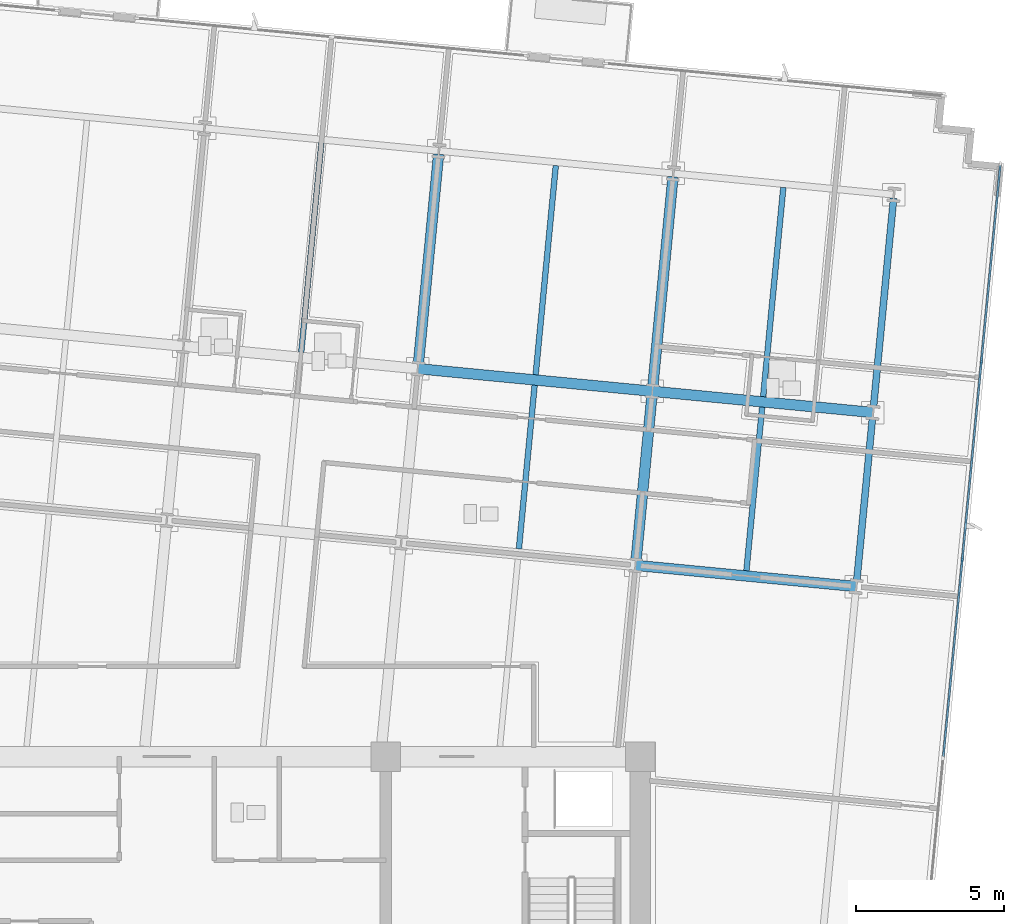
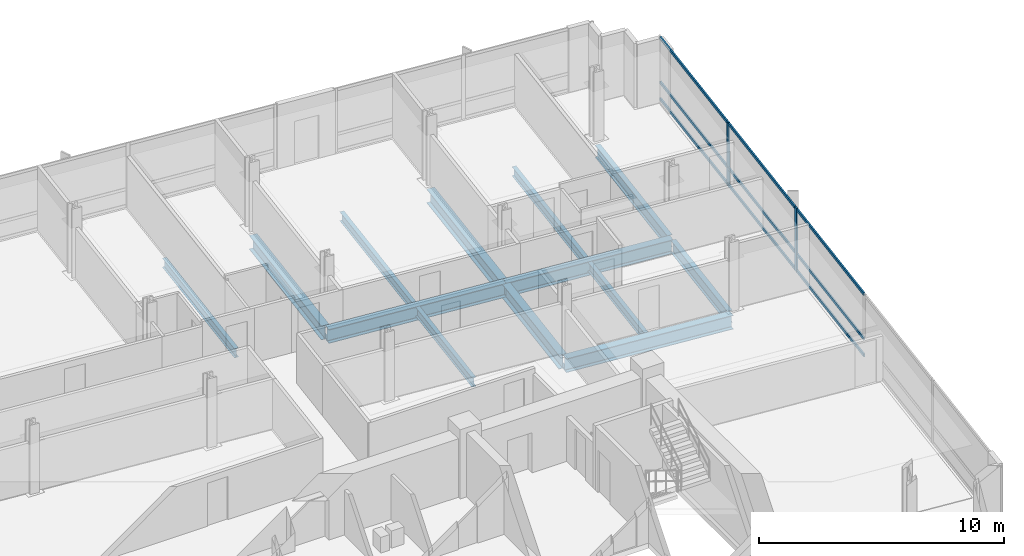
# One storey, part 6 of 17: 13 beams, 11 members, 1 element without a shape of its own.
"""IFC4 building model written with IfcOpenShell, lengths in metres."""

from ifc_helpers import new_model, si_unit, direction, frame, origin, origin_2d, place, context, subcontext, project, spatial, rectangle, i_section, extrude, material, material_profile, profile_set, type_object, element, aggregate, save


model = new_model("IFC4")

# Units and contexts
model_context = context("Model", 3, precision=1e-05, world=origin(), true_north=direction((0.0, 1.0)))
body_context = subcontext(model_context, "Body", "Model", "MODEL_VIEW")
ifc_project = project(units=[si_unit("LENGTHUNIT", "METRE"), si_unit("AREAUNIT", "SQUARE_METRE"), si_unit("VOLUMEUNIT", "CUBIC_METRE"), si_unit("PLANEANGLEUNIT", "RADIAN"), si_unit("MASSUNIT", "GRAM", prefix="KILO")], contexts=[model_context])

# Site, building, storey
site_placement = place(None, origin())
site = spatial("IfcSite", under=ifc_project, at=site_placement, CompositionType="ELEMENT")
building_placement = place(site_placement, origin())
building = spatial("IfcBuilding", under=site, at=building_placement, Name="Solmavex Isthmus Hotel", CompositionType="ELEMENT")
storey_placement = place(building_placement, frame((0.0, 0.0, 173.85009765625)))
storey = spatial("IfcBuildingStorey", under=building, at=storey_placement, Name="L47", CompositionType="ELEMENT", Elevation=173.85009765625)

# Beams
ifc_material_1 = material(Name="Steel ASTM A992 Grade 50", Category="steel")
ifc_material_profile_1 = material_profile(ifc_material_1, i_section(OverallWidth=0.354736328125, OverallDepth=0.695556640625, WebThickness=0.015380859375, FlangeThickness=0.02490234375, FilletRadius=0.017822265625, at=origin_2d()), Name="W27X146")
ifc_profile_set_1 = profile_set([ifc_material_profile_1], Name="Steel ASTM A992 Grade 50")
beam_type_1 = type_object("IfcBeamType", Name="BM-BG-W27X146", PredefinedType="BEAM", material=ifc_profile_set_1)
beam_1_placement = place(storey_placement, frame((15.840087890625, 3.96533203125, -0.60791015625), z_axis=(0.995394980007, -0.095858404835, 0.0), x_axis=(0.095858404835, 0.995394980007, 0.0)))
element("IfcBeam", 1, at=beam_1_placement, inside=storey, type_object=beam_type_1, Name="Floor Girder L47-UG08", PredefinedType="BEAM", context=body_context, shape_type="SweptSolid", body=[
    extrude(i_section(OverallWidth=0.354736328125, OverallDepth=0.695556640625, WebThickness=0.015380859375, FlangeThickness=0.02490234375, FilletRadius=0.017822265625, at=origin_2d()), origin(), (0.0, 0.0, 1.0), 7.48779296875),
])
beam_2_placement = place(storey_placement, frame((8.48681640625, 10.608642578125, -0.60791015625), z_axis=(0.995394512348, -0.095863260885, 0.0), x_axis=(0.095863260885, 0.995394512348, 0.0)))
element("IfcBeam", 2, at=beam_2_placement, inside=storey, type_object=beam_type_1, Name="Floor Girder L47-UG13", PredefinedType="BEAM", context=body_context, shape_type="SweptSolid", body=[
    extrude(i_section(OverallWidth=0.354736328125, OverallDepth=0.695556640625, WebThickness=0.015380859375, FlangeThickness=0.02490234375, FilletRadius=0.017822265625, at=origin_2d()), origin(), (0.0, 0.0, 1.0), 7.9560546875),
])
beam_3_placement = place(storey_placement, frame((16.40625, 9.845947265625, -0.60791015625), z_axis=(0.995398389938, -0.095822989454, 0.0), x_axis=(0.095822989454, 0.995398389938, 0.0)))
element("IfcBeam", 3, at=beam_3_placement, inside=storey, type_object=beam_type_1, Name="Floor Girder L47-UG14", PredefinedType="BEAM", context=body_context, shape_type="SweptSolid", body=[
    extrude(i_section(OverallWidth=0.354736328125, OverallDepth=0.695556640625, WebThickness=0.015380859375, FlangeThickness=0.02490234375, FilletRadius=0.017822265625, at=origin_2d()), origin(), (0.0, 0.0, 1.0), 7.488037109375),
])
beam_4_placement = place(storey_placement, frame((8.50390625, 10.78515625, -0.60791015625), z_axis=(0.095842805175, 0.99539648216, 0.0), x_axis=(-0.99539648216, 0.095842805175, 0.0)))
element("IfcBeam", 4, at=beam_4_placement, inside=storey, type_object=beam_type_1, Name="Floor Beam L47-VG35", PredefinedType="BEAM", context=body_context, shape_type="SweptSolid", body=[
    extrude(i_section(OverallWidth=0.354736328125, OverallDepth=0.695556640625, WebThickness=0.015380859375, FlangeThickness=0.02490234375, FilletRadius=0.017822265625, at=origin_2d()), origin(), (0.0, 0.0, 1.0), 7.099365234375),
])
beam_5_placement = place(storey_placement, frame((15.85693359375, 4.141845703125, -0.60791015625), z_axis=(0.095842252862, 0.99539653534, 0.0), x_axis=(-0.99539653534, 0.095842252862, 0.0)))
element("IfcBeam", 5, at=beam_5_placement, inside=storey, type_object=beam_type_1, Name="Floor Beam L47-VG37", PredefinedType="BEAM", context=body_context, shape_type="SweptSolid", body=[
    extrude(i_section(OverallWidth=0.354736328125, OverallDepth=0.695556640625, WebThickness=0.015380859375, FlangeThickness=0.02490234375, FilletRadius=0.017822265625, at=origin_2d()), origin(), (0.0, 0.0, 1.0), 5.55322265625),
])
beam_6_placement = place(storey_placement, frame((16.42333984375, 10.022705078125, -0.60791015625), z_axis=(0.095842805175, 0.99539648216, 0.0), x_axis=(-0.99539648216, 0.095842805175, 0.0)))
element("IfcBeam", 6, at=beam_6_placement, inside=storey, type_object=beam_type_1, Name="Floor Beam L47-VG38", PredefinedType="BEAM", context=body_context, shape_type="SweptSolid", body=[
    extrude(i_section(OverallWidth=0.354736328125, OverallDepth=0.695556640625, WebThickness=0.015380859375, FlangeThickness=0.02490234375, FilletRadius=0.017822265625, at=origin_2d()), origin(), (0.0, 0.0, 1.0), 7.099365234375),
])
ifc_material_profile_2 = material_profile(ifc_material_1, i_section(OverallWidth=0.1904296875, OverallDepth=0.456787109375, WebThickness=0.009033203125, FlangeThickness=0.014404296875, FilletRadius=0.0126953125, at=origin_2d()), Name="W18X50")
ifc_profile_set_2 = profile_set([ifc_material_profile_2], Name="Steel ASTM A992 Grade 50")
beam_type_2 = type_object("IfcBeamType", Name="BM-BJ-W18X50", PredefinedType="JOIST", material=ifc_profile_set_2)
beam_7_placement = place(storey_placement, frame((4.544189453125, 11.16650390625, -0.488525390625), z_axis=(0.095842805175, 0.99539648216, 0.0), x_axis=(-0.99539648216, 0.095842805175, 0.0)))
element("IfcBeam", 7, at=beam_7_placement, inside=storey, type_object=beam_type_2, Name="Secondary Floor Joist L47-J12", PredefinedType="JOIST", context=body_context, shape_type="SweptSolid", body=[
    extrude(i_section(OverallWidth=0.1904296875, OverallDepth=0.456787109375, WebThickness=0.009033203125, FlangeThickness=0.014404296875, FilletRadius=0.0126953125, at=origin_2d()), origin(), (0.0, 0.0, 1.0), 7.099365234375),
])
beam_8_placement = place(storey_placement, frame((11.8974609375, 4.523193359375, -0.488525390625), z_axis=(0.095842252862, 0.99539653534, 0.0), x_axis=(-0.99539653534, 0.095842252862, 0.0)))
element("IfcBeam", 8, at=beam_8_placement, inside=storey, type_object=beam_type_2, Name="Secondary Floor Joist L47-J14", PredefinedType="JOIST", context=body_context, shape_type="SweptSolid", body=[
    extrude(i_section(OverallWidth=0.1904296875, OverallDepth=0.456787109375, WebThickness=0.009033203125, FlangeThickness=0.014404296875, FilletRadius=0.0126953125, at=origin_2d()), origin(), (0.0, 0.0, 1.0), 5.55322265625),
])
beam_9_placement = place(storey_placement, frame((12.463623046875, 10.40380859375, -0.488525390625), z_axis=(0.095839524498, 0.995396798038, 0.0), x_axis=(-0.995396798038, 0.095839524498, 0.0)))
element("IfcBeam", 9, at=beam_9_placement, inside=storey, type_object=beam_type_2, Name="Secondary Floor Joist L47-J15", PredefinedType="JOIST", context=body_context, shape_type="SweptSolid", body=[
    extrude(i_section(OverallWidth=0.1904296875, OverallDepth=0.456787109375, WebThickness=0.009033203125, FlangeThickness=0.014404296875, FilletRadius=0.0126953125, at=origin_2d()), origin(), (0.0, 0.0, 1.0), 7.099609375),
])
beam_10_placement = place(storey_placement, frame((19.583740234375, 3.782958984375, -0.488525390625), z_axis=(0.095842252862, 0.99539653534, 0.0), x_axis=(-0.99539653534, 0.095842252862, 0.0)))
element("IfcBeam", 10, at=beam_10_placement, inside=storey, type_object=beam_type_2, Name="Secondary Floor Joist L47-J16", PredefinedType="JOIST", context=body_context, shape_type="SweptSolid", body=[
    extrude(i_section(OverallWidth=0.1904296875, OverallDepth=0.456787109375, WebThickness=0.009033203125, FlangeThickness=0.014404296875, FilletRadius=0.0126953125, at=origin_2d()), origin(), (0.0, 0.0, 1.0), 5.55322265625),
])
beam_11_placement = place(storey_placement, frame((20.150146484375, 9.663818359375, -0.488525390625), z_axis=(0.095842805175, 0.99539648216, 0.0), x_axis=(-0.99539648216, 0.095842805175, 0.0)))
element("IfcBeam", 11, at=beam_11_placement, inside=storey, type_object=beam_type_2, Name="Secondary Floor Joist L47-J17", PredefinedType="JOIST", context=body_context, shape_type="SweptSolid", body=[
    extrude(i_section(OverallWidth=0.1904296875, OverallDepth=0.456787109375, WebThickness=0.009033203125, FlangeThickness=0.014404296875, FilletRadius=0.0126953125, at=origin_2d()), origin(), (0.0, 0.0, 1.0), 7.099365234375),
])
ifc_material_profile_3 = material_profile(ifc_material_1, i_section(OverallWidth=0.230224609375, OverallDepth=0.617431640625, WebThickness=0.01318359375, FlangeThickness=0.022216796875, FilletRadius=0.01513671875, at=origin_2d()), Name="W24X94")
ifc_profile_set_3 = profile_set([ifc_material_profile_3], Name="Steel ASTM A992 Grade 50")
beam_type_3 = type_object("IfcBeamType", Name="BM-SP-W24X94", PredefinedType="SPANDREL", material=ifc_profile_set_3)
beam_12_placement = place(storey_placement, frame((23.310546875, 3.424072265625, -0.56884765625), z_axis=(0.095842252862, 0.99539653534, 0.0), x_axis=(-0.99539653534, 0.095842252862, 0.0)))
element("IfcBeam", 12, at=beam_12_placement, inside=storey, type_object=beam_type_3, Name="Floor Beam L47-VG40", PredefinedType="SPANDREL", context=body_context, shape_type="SweptSolid", body=[
    extrude(i_section(OverallWidth=0.230224609375, OverallDepth=0.617431640625, WebThickness=0.01318359375, FlangeThickness=0.022216796875, FilletRadius=0.01513671875, at=origin_2d()), origin(), (0.0, 0.0, 1.0), 5.55322265625),
])
beam_13_placement = place(storey_placement, frame((23.876708984375, 9.304931640625, -0.56884765625), z_axis=(0.09587687835, 0.9953932008, 0.0), x_axis=(-0.9953932008, 0.09587687835, 0.0)))
element("IfcBeam", 13, at=beam_13_placement, inside=storey, type_object=beam_type_3, Name="Floor Beam L47-VG41", PredefinedType="SPANDREL", context=body_context, shape_type="SweptSolid", body=[
    extrude(i_section(OverallWidth=0.230224609375, OverallDepth=0.617431640625, WebThickness=0.01318359375, FlangeThickness=0.022216796875, FilletRadius=0.01513671875, at=origin_2d()), origin(), (0.0, 0.0, 1.0), 7.099365234375),
])

# Curtain wall, members
ifc_material_2 = material(Name="Aluminium alloy 6063-T6", Category="aluminium")
curtain_wall_type = type_object("IfcCurtainWallType", Name="CW-SYS-03", PredefinedType="NOTDEFINED", material=ifc_material_2)
curtain_wall_placement = place(storey_placement, origin())
curtain_wall = element("IfcCurtainWall", 14, at=curtain_wall_placement, inside=storey, type_object=curtain_wall_type, Name="Stick Curtain Wall CWL-L47-E1", PredefinedType="NOTDEFINED")
ifc_material_profile_4 = material_profile(ifc_material_2, rectangle(XDim=0.070068359375, YDim=0.179931640625, at=origin_2d()), Name="CWM-70X180")
ifc_profile_set_4 = profile_set([ifc_material_profile_4], Name="Aluminium alloy 6063-T6")
member_type_1 = type_object("IfcMemberType", Name="CW-SYS-03-MUL", PredefinedType="MULLION", material=ifc_profile_set_4)
member_1_placement = place(storey_placement, frame((26.878173828125, 4.168212890625, 0.0), z_axis=(0.0, 0.0, 1.0), x_axis=(-0.995396190038, 0.09584583902, 0.0)))
member_1 = element("IfcMember", 15, at=member_1_placement, type_object=member_type_1, Name="CW-03 mullion 4", PredefinedType="MULLION", context=body_context, shape_type="SweptSolid", body=[
    extrude(rectangle(XDim=0.070068359375, YDim=0.179931640625, at=origin_2d()), origin(), (0.0, 0.0, 1.0), 3.18994140625),
])
member_2_placement = place(storey_placement, frame((27.5224609375, 10.857177734375, 0.0), z_axis=(0.0, 0.0, 1.0), x_axis=(-0.995396190038, 0.09584583902, 0.0)))
member_2 = element("IfcMember", 16, at=member_2_placement, type_object=member_type_1, Name="CW-03 mullion 5", PredefinedType="MULLION", context=body_context, shape_type="SweptSolid", body=[
    extrude(rectangle(XDim=0.070068359375, YDim=0.179931640625, at=origin_2d()), origin(), (0.0, 0.0, 1.0), 3.18994140625),
])
ifc_material_profile_5 = material_profile(ifc_material_2, rectangle(XDim=0.070068359375, YDim=0.139892578125, at=origin_2d()), Name="CWT-70X140")
ifc_profile_set_5 = profile_set([ifc_material_profile_5], Name="Aluminium alloy 6063-T6")
member_type_2 = type_object("IfcMemberType", Name="CW-SYS-03-TRN", PredefinedType="USERDEFINED", material=ifc_profile_set_5)
member_3_placement = place(storey_placement, frame((26.237548828125, -2.486083984375, 0.06982421875), z_axis=(0.095857212138, 0.995395094865, 0.0), x_axis=(-0.995395094865, 0.095857212138, 0.0)))
member_3 = element("IfcMember", 17, at=member_3_placement, type_object=member_type_2, Name="CW-03 transom 3.1", ObjectType="TRANSOM", PredefinedType="USERDEFINED", context=body_context, shape_type="SweptSolid", body=[
    extrude(rectangle(XDim=0.070068359375, YDim=0.139892578125, at=origin_2d()), origin(), (0.0, 0.0, 1.0), 6.64990234375),
])
member_4_placement = place(storey_placement, frame((26.237548828125, -2.486083984375, 0.89990234375), z_axis=(0.095857212138, 0.995395094865, 0.0), x_axis=(-0.995395094865, 0.095857212138, 0.0)))
member_4 = element("IfcMember", 18, at=member_4_placement, type_object=member_type_2, Name="CW-03 transom 3.2", ObjectType="TRANSOM", PredefinedType="USERDEFINED", context=body_context, shape_type="SweptSolid", body=[
    extrude(rectangle(XDim=0.070068359375, YDim=0.139892578125, at=origin_2d()), origin(), (0.0, 0.0, 1.0), 6.64990234375),
])
member_5_placement = place(storey_placement, frame((26.237548828125, -2.486083984375, 3.119873046875), z_axis=(0.095857212138, 0.995395094865, 0.0), x_axis=(-0.995395094865, 0.095857212138, 0.0)))
member_5 = element("IfcMember", 19, at=member_5_placement, type_object=member_type_2, Name="CW-03 transom 3.3", ObjectType="TRANSOM", PredefinedType="USERDEFINED", context=body_context, shape_type="SweptSolid", body=[
    extrude(rectangle(XDim=0.070068359375, YDim=0.139892578125, at=origin_2d()), origin(), (0.0, 0.0, 1.0), 6.64990234375),
])
member_6_placement = place(storey_placement, frame((26.881591796875, 4.203125, 0.06982421875), z_axis=(0.095857212138, 0.995395094865, 0.0), x_axis=(-0.995395094865, 0.095857212138, 0.0)))
member_6 = element("IfcMember", 20, at=member_6_placement, type_object=member_type_2, Name="CW-03 transom 4.1", ObjectType="TRANSOM", PredefinedType="USERDEFINED", context=body_context, shape_type="SweptSolid", body=[
    extrude(rectangle(XDim=0.070068359375, YDim=0.139892578125, at=origin_2d()), origin(), (0.0, 0.0, 1.0), 6.64990234375),
])
member_7_placement = place(storey_placement, frame((26.881591796875, 4.203125, 0.89990234375), z_axis=(0.095857212138, 0.995395094865, 0.0), x_axis=(-0.995395094865, 0.095857212138, 0.0)))
member_7 = element("IfcMember", 21, at=member_7_placement, type_object=member_type_2, Name="CW-03 transom 4.2", ObjectType="TRANSOM", PredefinedType="USERDEFINED", context=body_context, shape_type="SweptSolid", body=[
    extrude(rectangle(XDim=0.070068359375, YDim=0.139892578125, at=origin_2d()), origin(), (0.0, 0.0, 1.0), 6.64990234375),
])
member_8_placement = place(storey_placement, frame((26.881591796875, 4.203125, 3.119873046875), z_axis=(0.095857212138, 0.995395094865, 0.0), x_axis=(-0.995395094865, 0.095857212138, 0.0)))
member_8 = element("IfcMember", 22, at=member_8_placement, type_object=member_type_2, Name="CW-03 transom 4.3", ObjectType="TRANSOM", PredefinedType="USERDEFINED", context=body_context, shape_type="SweptSolid", body=[
    extrude(rectangle(XDim=0.070068359375, YDim=0.139892578125, at=origin_2d()), origin(), (0.0, 0.0, 1.0), 6.64990234375),
])
member_9_placement = place(storey_placement, frame((27.525634765625, 10.89208984375, 0.06982421875), z_axis=(0.095848837806, 0.995395901283, 0.0), x_axis=(-0.995395901283, 0.095848837806, 0.0)))
member_9 = element("IfcMember", 23, at=member_9_placement, type_object=member_type_2, Name="CW-03 transom 5.1", ObjectType="TRANSOM", PredefinedType="USERDEFINED", context=body_context, shape_type="SweptSolid", body=[
    extrude(rectangle(XDim=0.070068359375, YDim=0.139892578125, at=origin_2d()), origin(), (0.0, 0.0, 1.0), 6.614990234375),
])
member_10_placement = place(storey_placement, frame((27.525634765625, 10.89208984375, 0.89990234375), z_axis=(0.095848837806, 0.995395901283, 0.0), x_axis=(-0.995395901283, 0.095848837806, 0.0)))
member_10 = element("IfcMember", 24, at=member_10_placement, type_object=member_type_2, Name="CW-03 transom 5.2", ObjectType="TRANSOM", PredefinedType="USERDEFINED", context=body_context, shape_type="SweptSolid", body=[
    extrude(rectangle(XDim=0.070068359375, YDim=0.139892578125, at=origin_2d()), origin(), (0.0, 0.0, 1.0), 6.614990234375),
])
member_11_placement = place(storey_placement, frame((27.525634765625, 10.89208984375, 3.119873046875), z_axis=(0.095848837806, 0.995395901283, 0.0), x_axis=(-0.995395901283, 0.095848837806, 0.0)))
member_11 = element("IfcMember", 25, at=member_11_placement, type_object=member_type_2, Name="CW-03 transom 5.3", ObjectType="TRANSOM", PredefinedType="USERDEFINED", context=body_context, shape_type="SweptSolid", body=[
    extrude(rectangle(XDim=0.070068359375, YDim=0.139892578125, at=origin_2d()), origin(), (0.0, 0.0, 1.0), 6.614990234375),
])
aggregate(curtain_wall, [member_1, member_2, member_3, member_4, member_5, member_6, member_7, member_8, member_9, member_10, member_11])

save(model, "model.ifc")
